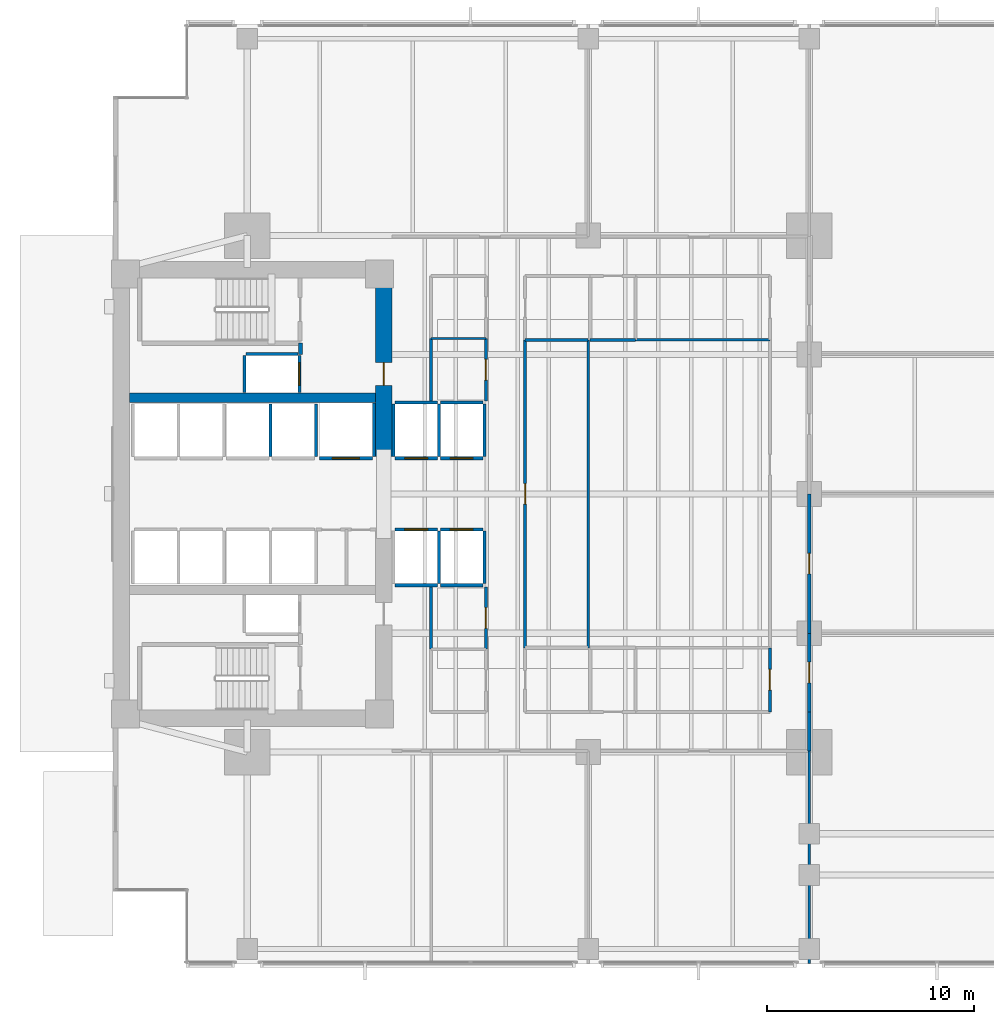
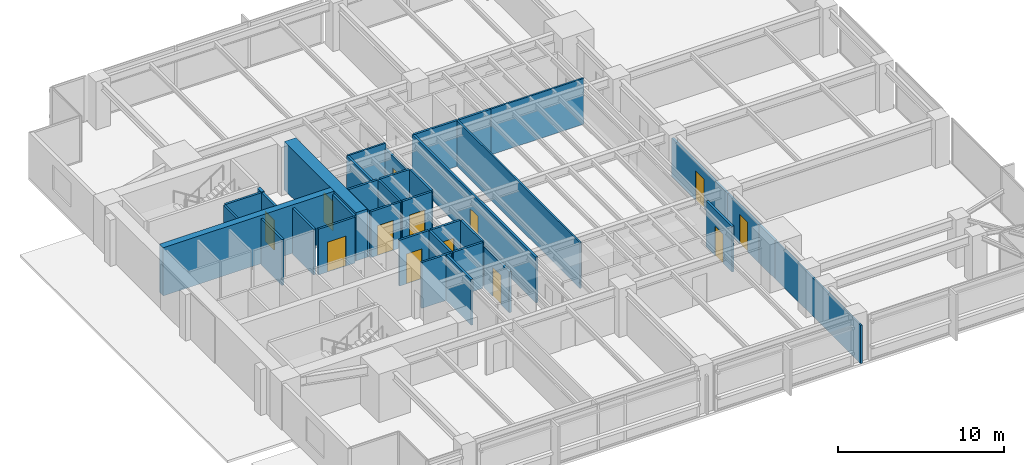
# One storey, part 10 of 16: 38 walls, 13 doors, 13 openings.
"""IFC4 building model written with IfcOpenShell, lengths in metres."""

import ifcopenshell
import ifcopenshell.guid

model = None  # the IFC model being written
_history = None  # IfcOwnerHistory: only IFC2X3 demands one
_inside = {}  # id of a spatial element -> (the spatial element, [elements in it])
_under = {}  # id of a project, library or spatial element -> (it, [spatial elements below it])
_declared = {}  # id of a project -> (the project, [libraries it declares])
_typed = {}  # id of a type object -> (the type object, [elements of that type])
_made_of = {}  # id of a material, layer set ... -> (it, [elements and type objects made of it])


def new_model(schema):
    """Start an empty IFC model of exactly this schema.

    Asked for "IFC4X3", IfcOpenShell would pick the latest addendum, in which some entities
    have other attributes; the version numbers below select the first issue.
    IFC2X3 requires an IfcOwnerHistory on every rooted entity: one is made here for all.
    """
    global model, _history
    if schema == "IFC4X3":
        model = ifcopenshell.file(schema_version=(4, 3, 0, 0))
    else:
        model = ifcopenshell.file(schema=schema)
    _inside.clear()
    _under.clear()
    _declared.clear()
    _typed.clear()
    _made_of.clear()
    _history = None
    if model.schema == "IFC2X3":
        org = make("IfcOrganization", Name="unknown")
        user = make(
            "IfcPersonAndOrganization",
            ThePerson=make("IfcPerson", FamilyName="unknown"),
            TheOrganization=org,
        )
        app = make(
            "IfcApplication",
            ApplicationDeveloper=org,
            Version="unknown",
            ApplicationFullName="unknown",
            ApplicationIdentifier="unknown",
        )
        _history = make(
            "IfcOwnerHistory",
            OwningUser=user,
            OwningApplication=app,
            ChangeAction="ADDED",
            CreationDate=0,
        )
    return model


def make(cls, **values):
    """One entity of the class cls with the attributes given. An attribute that is None is left unset."""
    return model.create_entity(
        cls, **{name: value for name, value in values.items() if value is not None}
    )


def rooted(cls, **values):
    """An entity with a GlobalId (a new one), such as an element, a storey or a relation."""
    return make(cls, GlobalId=ifcopenshell.guid.new(), OwnerHistory=_history, **values)


def si_unit(unit_type, name, prefix=None):
    """IfcSIUnit, for example si_unit("LENGTHUNIT", "METRE", prefix="MILLI")."""
    return make("IfcSIUnit", UnitType=unit_type, Prefix=prefix, Name=name)


def assignment(units):
    """IfcUnitAssignment: the units of a project."""
    return None if units is None else make("IfcUnitAssignment", Units=units)


def point(xyz):
    """IfcCartesianPoint."""
    return None if xyz is None else make("IfcCartesianPoint", Coordinates=xyz)


def direction(xyz):
    """IfcDirection."""
    return None if xyz is None else make("IfcDirection", DirectionRatios=xyz)


def frame(location, z_axis=None, x_axis=None):
    """IfcAxis2Placement3D, a coordinate frame: its origin and axes. An axis left out is left unset."""
    return make(
        "IfcAxis2Placement3D",
        Location=point(location),
        Axis=direction(z_axis),
        RefDirection=direction(x_axis),
    )


def frame_2d(location, x_axis=None):
    """IfcAxis2Placement2D, a coordinate frame in the plane: its origin and x axis."""
    return make(
        "IfcAxis2Placement2D", Location=point(location), RefDirection=direction(x_axis)
    )


def origin():
    """The frame at (0, 0, 0) with its axes left unset."""
    return frame((0.0, 0.0, 0.0))


def place(relative_to, where):
    """IfcLocalPlacement: puts the frame where relative to a parent placement (None: the world)."""
    return make(
        "IfcLocalPlacement", PlacementRelTo=relative_to, RelativePlacement=where
    )


def context(
    kind, dimensions, precision=None, world=None, true_north=None, identifier=None
):
    """IfcGeometricRepresentationContext, for example the 3D "Model" context."""
    return make(
        "IfcGeometricRepresentationContext",
        ContextIdentifier=identifier,
        ContextType=kind,
        CoordinateSpaceDimension=dimensions,
        Precision=precision,
        WorldCoordinateSystem=world,
        TrueNorth=true_north,
    )


def subcontext(parent, identifier, kind, view, scale=None):
    """IfcGeometricRepresentationSubContext, for example "Body" below "Model"."""
    return make(
        "IfcGeometricRepresentationSubContext",
        ContextIdentifier=identifier,
        ContextType=kind,
        ParentContext=parent,
        TargetScale=scale,
        TargetView=view,
    )


def project(units=None, contexts=None):
    """IfcProject with its units and contexts."""
    return rooted(
        "IfcProject",
        Name="project",
        RepresentationContexts=contexts,
        UnitsInContext=assignment(units),
    )


def spatial(cls, under=None, at=None, **own):
    """A site, building, storey or space (cls), placed at a placement, below another one or the project."""
    s = rooted(cls, ObjectPlacement=at, **own)
    if under is not None:
        _under.setdefault(under.id(), (under, []))[1].append(s)
    return s


def profile(cls, at=None, kind="AREA", **sizes):
    """A parametric profile (cls). Its sizes go by their IFC names, for example OverallWidth=200.0."""
    return make(cls, ProfileType=kind, Position=at, **sizes)


def rectangle(**sizes):
    """IfcRectangleProfileDef."""
    return profile("IfcRectangleProfileDef", **sizes)


def extrude(swept, where, along, depth):
    """IfcExtrudedAreaSolid: the profile swept, set in the frame where, extruded along a direction by depth."""
    return make(
        "IfcExtrudedAreaSolid",
        SweptArea=swept,
        Position=where,
        ExtrudedDirection=direction(along),
        Depth=depth,
    )


def shape(context_of_items, identifier, shape_type, items):
    """IfcShapeRepresentation: the items that make up one representation, for example the "Body"."""
    return make(
        "IfcShapeRepresentation",
        ContextOfItems=context_of_items,
        RepresentationIdentifier=identifier,
        RepresentationType=shape_type,
        Items=items,
    )


def material(Name=None, Category=None):
    """IfcMaterial."""
    return make("IfcMaterial", Name=Name, Category=Category)


def layer(
    of_material, thickness, ventilated=None, Name=None, Category=None, Priority=None
):
    """IfcMaterialLayer: one layer of a wall or slab, of a material (None: an air gap)."""
    return make(
        "IfcMaterialLayer",
        Material=of_material,
        LayerThickness=thickness,
        IsVentilated=ventilated,
        Name=Name,
        Category=Category,
        Priority=Priority,
    )


def layer_set(layers, Name=None):
    """IfcMaterialLayerSet."""
    return make("IfcMaterialLayerSet", MaterialLayers=layers, LayerSetName=Name)


def made_of(thing, what):
    """Note that an element or type object is made of a material, layer set ...; save() writes the relation."""
    if what is not None:
        _made_of.setdefault(what.id(), (what, []))[1].append(thing)
    return thing


def type_object(cls, material=None, **own):
    """A type object (cls), such as IfcWallType, which elements share."""
    return made_of(rooted(cls, **own), material)


def element(
    cls,
    number,
    at=None,
    inside=None,
    cuts=None,
    type_object=None,
    material=None,
    context=None,
    identifier="Body",
    shape_type=None,
    held_by="IfcProductDefinitionShape",
    body=None,
    shapes=None,
    **own,
):
    """One element of the class cls, such as IfcWall. Its Tag is "e" and its number.

    at: its placement. inside: the storey or other place that contains it. cuts: it is an
    opening in that element (IfcRelVoidsElement). A single representation is given by context,
    identifier, shape_type and body (its items); several are given by shapes. held_by: the class
    of the entity that holds the representations. save() writes the other relations.
    """
    e = rooted(cls, Tag="e%d" % number, ObjectPlacement=at, **own)
    if body is not None:
        shapes = [shape(context, identifier, shape_type, body)]
    if shapes is not None:
        e.Representation = make(held_by, Representations=shapes)
    if inside is not None:
        _inside.setdefault(inside.id(), (inside, []))[1].append(e)
    if cuts is not None:
        rooted(
            "IfcRelVoidsElement", RelatingBuildingElement=cuts, RelatedOpeningElement=e
        )
    if type_object is not None:
        _typed.setdefault(type_object.id(), (type_object, []))[1].append(e)
    return made_of(e, material)


def fill(opening, filler):
    """IfcRelFillsElement: the door or window that sits in an opening."""
    return rooted(
        "IfcRelFillsElement",
        RelatingOpeningElement=opening,
        RelatedBuildingElement=filler,
    )


def aggregate(whole, parts):
    """IfcRelAggregates: a whole, such as a stair, and the parts it consists of."""
    return rooted("IfcRelAggregates", RelatingObject=whole, RelatedObjects=parts)


def save(model, path):
    """Write the relations noted so far, then the file.

    IfcRelAggregates (storeys below a building ...), IfcRelContainedInSpatialStructure (elements
    in a storey), IfcRelDefinesByType, IfcRelAssociatesMaterial and IfcRelDeclares: one each for
    every whole, place, type object, material and project.
    """
    for whole, parts in _under.values():
        aggregate(whole, parts)
    for where, things in _inside.values():
        rooted(
            "IfcRelContainedInSpatialStructure",
            RelatedElements=things,
            RelatingStructure=where,
        )
    for kind, things in _typed.values():
        rooted("IfcRelDefinesByType", RelatedObjects=things, RelatingType=kind)
    for what, things in _made_of.values():
        rooted("IfcRelAssociatesMaterial", RelatedObjects=things, RelatingMaterial=what)
    for by, libraries in _declared.values():
        rooted("IfcRelDeclares", RelatingContext=by, RelatedDefinitions=libraries)
    model.write(path)


model = new_model("IFC4")

# Units and contexts
model_context = context("Model", 3, precision=1e-05, world=origin(), true_north=direction((0.0, 1.0)))
body_context = subcontext(model_context, "Body", "Model", "MODEL_VIEW")
ifc_project = project(units=[si_unit("LENGTHUNIT", "METRE"), si_unit("AREAUNIT", "SQUARE_METRE"), si_unit("VOLUMEUNIT", "CUBIC_METRE"), si_unit("PLANEANGLEUNIT", "RADIAN"), si_unit("MASSUNIT", "GRAM", prefix="KILO")], contexts=[model_context])

# Site, building, storey
site_placement = place(None, origin())
site = spatial("IfcSite", under=ifc_project, at=site_placement, CompositionType="ELEMENT")
building_placement = place(site_placement, origin())
building = spatial("IfcBuilding", under=site, at=building_placement, Name="Kinhvarn Gate Tower", CompositionType="ELEMENT")
storey_placement = place(building_placement, frame((0.0, 0.0, 25.60009765625)))
storey = spatial("IfcBuildingStorey", under=building, at=storey_placement, Name="L05", CompositionType="ELEMENT", Elevation=25.60009765625)

# Wall
ifc_material_1 = material(Name="Concrete C50/60", Category="concrete")
ifc_layer_1 = layer(ifc_material_1, 0.449951171875)
ifc_layer_set_1 = layer_set([ifc_layer_1], Name="Concrete C50/60")
wall_type_1 = type_object("IfcWallType", Name="WL-CORE-450", PredefinedType="SHEAR", material=ifc_layer_set_1)
wall_1_placement = place(storey_placement, frame((5.300048828125, 29.89990234375, 0.0), z_axis=(0.0, 0.0, 1.0), x_axis=(1.0, 0.0, 0.0)))
element("IfcWall", 1, at=wall_1_placement, inside=storey, type_object=wall_type_1, Name="Core North Spine Shear Wall L05 450 mm", PredefinedType="SHEAR", context=body_context, shape_type="SweptSolid", body=[
    extrude(rectangle(XDim=11.89990234375, YDim=0.449951171875, at=frame_2d((5.949951171875, 0.0))), origin(), (0.0, 0.0, 1.0), 3.5498046875),
])

# Wall, opening, door
ifc_material_2 = material(Name="Concrete C70/85", Category="concrete")
ifc_layer_2 = layer(ifc_material_2, 0.800048828125)
ifc_layer_set_2 = layer_set([ifc_layer_2], Name="Concrete C70/85")
wall_type_2 = type_object("IfcWallType", Name="WL-CORE-800", PredefinedType="SHEAR", material=ifc_layer_set_2)
wall_2_placement = place(storey_placement, frame((17.60009765625, 27.050048828125, 0.0), z_axis=(0.0, 0.0, 1.0), x_axis=(0.0, 1.0, 0.0)))
wall_2 = element("IfcWall", 2, at=wall_2_placement, inside=storey, type_object=wall_type_2, Name="Core East-North Shear Pier L05 800 mm", PredefinedType="SHEAR", context=body_context, shape_type="SweptSolid", body=[
    extrude(rectangle(XDim=8.64990234375, YDim=0.800048828125, at=frame_2d((4.324951171875, 0.0))), origin(), (0.0, 0.0, 1.0), 3.5498046875),
])
opening_1_placement = place(wall_2_placement, frame((3.449951171875, 0.0, 0.0)))
opening_1 = element("IfcOpeningElement", 3, at=opening_1_placement, cuts=wall_2, Name="Opening FD-02", PredefinedType="OPENING", context=body_context, shape_type="SweptSolid", body=[
    extrude(rectangle(XDim=1.10009765625, YDim=2.14990234375, at=frame_2d((0.550048828125, 1.074951171875))), frame((0.0, 0.41015625, 0.0), z_axis=(0.0, -1.0, 0.0), x_axis=(1.0, 0.0, 0.0)), (0.0, 0.0, 1.0), 0.820068359375),
])
ifc_material_3 = material(Name="Anodised aluminium AW-6063", Category="aluminium")
door_type_1 = type_object("IfcDoorType", Name="DR-FD-1100", OperationType="NOTDEFINED", PredefinedType="DOOR", material=ifc_material_3)
door_1_placement = place(opening_1_placement, origin())
door_1 = element("IfcDoor", 4, at=door_1_placement, inside=storey, type_object=door_type_1, Name="Firefighting Lobby Core Door (L05)", OperationType="SINGLE_SWING_LEFT", OverallHeight=2.14990234375, OverallWidth=1.10009765625, PredefinedType="DOOR", context=body_context, shape_type="SweptSolid", body=[
    extrude(rectangle(XDim=1.10009765625, YDim=2.14990234375, at=frame_2d((0.550048828125, 1.074951171875))), frame((0.0, 0.02490234375, 0.0), z_axis=(0.0, -1.0, 0.0), x_axis=(1.0, 0.0, 0.0)), (0.0, 0.0, 1.0), 0.050048828125),
])
fill(opening_1, door_1)

# Walls
ifc_material_4 = material(Name="Gypsum acoustic partition board")
ifc_layer_3 = layer(ifc_material_4, 0.14990234375)
ifc_layer_set_3 = layer_set([ifc_layer_3], Name="Gypsum acoustic partition board")
wall_type_3 = type_object("IfcWallType", Name="WL-PLM-150", PredefinedType="PLUMBINGWALL", material=ifc_layer_set_3)
wall_3_placement = place(storey_placement, frame((24.449951171875, 32.699951171875, 0.0), z_axis=(0.0, 0.0, 1.0), x_axis=(1.0, 0.0, 0.0)))
element("IfcWall", 5, at=wall_3_placement, inside=storey, type_object=wall_type_3, Name="Interior Partition PLW-150 (L05)", PredefinedType="PLUMBINGWALL", context=body_context, shape_type="SweptSolid", body=[
    extrude(rectangle(XDim=3.050048828125, YDim=0.14990234375, at=frame_2d((1.52490234375, 0.0))), origin(), (0.0, 0.0, 1.0), 3.369873046875),
])
wall_4_placement = place(storey_placement, frame((27.60009765625, 32.699951171875, 0.0), z_axis=(0.0, 0.0, 1.0), x_axis=(1.0, 0.0, 0.0)))
element("IfcWall", 6, at=wall_4_placement, inside=storey, type_object=wall_type_3, Name="Interior Partition PLW-150 (L05)", PredefinedType="PLUMBINGWALL", context=body_context, shape_type="SweptSolid", body=[
    extrude(rectangle(XDim=2.199951171875, YDim=0.14990234375, at=frame_2d((1.10009765625, 0.0))), origin(), (0.0, 0.0, 1.0), 3.369873046875),
])
ifc_layer_4 = layer(ifc_material_4, 0.1201171875)
ifc_layer_set_4 = layer_set([ifc_layer_4], Name="Gypsum acoustic partition board")
wall_type_4 = type_object("IfcWallType", Name="WL-PRT-120", PredefinedType="PARTITIONING", material=ifc_layer_set_4)
wall_5_placement = place(storey_placement, frame((19.89990234375, 32.77001953125, 0.0), z_axis=(0.0, 0.0, 1.0), x_axis=(1.0, 0.0, 0.0)))
element("IfcWall", 7, at=wall_5_placement, inside=storey, type_object=wall_type_4, Name="Interior Partition PW-120 (L05)", PredefinedType="PARTITIONING", context=body_context, shape_type="SweptSolid", body=[
    extrude(rectangle(XDim=2.650146484375, YDim=0.1201171875, at=frame_2d((1.3251953125, 0.0))), origin(), (0.0, 0.0, 1.0), 3.369873046875),
])
wall_6_placement = place(storey_placement, frame((29.800048828125, 32.699951171875, 0.0), z_axis=(0.0, 0.0, 1.0), x_axis=(1.0, 0.0, 0.0)))
element("IfcWall", 8, at=wall_6_placement, inside=storey, type_object=wall_type_4, Name="Interior Partition PW-120 (L05)", PredefinedType="PARTITIONING", context=body_context, shape_type="SweptSolid", body=[
    extrude(rectangle(XDim=6.5, YDim=0.1201171875, at=frame_2d((3.25, 0.0))), origin(), (0.0, 0.0, 1.0), 3.369873046875),
])
wall_7_placement = place(storey_placement, frame((27.5, 17.800048828125, 0.0), z_axis=(0.0, 0.0, 1.0), x_axis=(0.0, 1.0, 0.0)))
element("IfcWall", 9, at=wall_7_placement, inside=storey, type_object=wall_type_4, Name="Interior Partition PW-120 (L05)", PredefinedType="PARTITIONING", context=body_context, shape_type="SweptSolid", body=[
    extrude(rectangle(XDim=14.89990234375, YDim=0.1201171875, at=frame_2d((7.449951171875, 0.0))), origin(), (0.0, 0.0, 1.0), 3.369873046875),
])
wall_8_placement = place(storey_placement, frame((38.199951171875, 2.510009765625, 0.0), z_axis=(0.0, 0.0, 1.0), x_axis=(0.0, 1.0, 0.0)))
element("IfcWall", 10, at=wall_8_placement, inside=storey, type_object=wall_type_4, Name="Interior Partition PW-120 (L05)", PredefinedType="PARTITIONING", context=body_context, shape_type="SweptSolid", body=[
    extrude(rectangle(XDim=10.2900390625, YDim=0.1201171875, at=frame_2d((5.14501953125, 0.0))), origin(), (0.0, 0.0, 1.0), 2.81982421875),
])

# Wall, opening, door
ifc_layer_5 = layer(ifc_material_4, 0.14990234375)
ifc_layer_set_5 = layer_set([ifc_layer_5], Name="Gypsum acoustic partition board")
wall_type_5 = type_object("IfcWallType", Name="WL-PRT-150F", PredefinedType="PARTITIONING", material=ifc_layer_set_5)
wall_9_placement = place(storey_placement, frame((22.550048828125, 17.72998046875, 0.0), z_axis=(0.0, 0.0, 1.0), x_axis=(0.0, 1.0, 0.0)))
wall_9 = element("IfcWall", 11, at=wall_9_placement, inside=storey, type_object=wall_type_5, Name="Interior Partition PW-150F (L05)", PredefinedType="PARTITIONING", context=body_context, shape_type="SweptSolid", body=[
    extrude(rectangle(XDim=3.02001953125, YDim=0.14990234375, at=frame_2d((1.510009765625, 0.0))), origin(), (0.0, 0.0, 1.0), 3.010009765625),
])
opening_2_placement = place(wall_9_placement, frame((1.010009765625, 0.0, 0.0)))
opening_2 = element("IfcOpeningElement", 12, at=opening_2_placement, cuts=wall_9, Name="Opening ID-02", PredefinedType="OPENING", context=body_context, shape_type="SweptSolid", body=[
    extrude(rectangle(XDim=1.0, YDim=2.14990234375, at=frame_2d((0.5, 1.074951171875))), frame((0.0, 0.0849609375, 0.0), z_axis=(0.0, -1.0, 0.0), x_axis=(1.0, 0.0, 0.0)), (0.0, 0.0, 1.0), 0.169921875),
])
door_type_2 = type_object("IfcDoorType", Name="DR-INT-1000", OperationType="NOTDEFINED", PredefinedType="DOOR", material=ifc_material_3)
door_2_placement = place(opening_2_placement, origin())
door_2 = element("IfcDoor", 13, at=door_2_placement, inside=storey, type_object=door_type_2, Name="Standard Office & Meeting Room Door 1000x2150 mm (L05)", OperationType="SINGLE_SWING_RIGHT", OverallHeight=2.14990234375, OverallWidth=1.0, PredefinedType="DOOR", context=body_context, shape_type="SweptSolid", body=[
    extrude(rectangle(XDim=1.0, YDim=2.14990234375, at=frame_2d((0.5, 1.074951171875))), frame((0.0, 0.02490234375, 0.0), z_axis=(0.0, -1.0, 0.0), x_axis=(1.0, 0.0, 0.0)), (0.0, 0.0, 1.0), 0.050048828125),
])
fill(opening_2, door_2)

wall_10_placement = place(storey_placement, frame((22.550048828125, 29.75, 0.0), z_axis=(0.0, 0.0, 1.0), x_axis=(0.0, 1.0, 0.0)))
wall_10 = element("IfcWall", 14, at=wall_10_placement, inside=storey, type_object=wall_type_5, Name="Interior Partition PW-150F (L05)", PredefinedType="PARTITIONING", context=body_context, shape_type="SweptSolid", body=[
    extrude(rectangle(XDim=3.02001953125, YDim=0.14990234375, at=frame_2d((1.510009765625, 0.0))), origin(), (0.0, 0.0, 1.0), 3.010009765625),
])
opening_3_placement = place(wall_10_placement, frame((1.010009765625, 0.0, 0.0)))
opening_3 = element("IfcOpeningElement", 15, at=opening_3_placement, cuts=wall_10, Name="Opening ID-02", PredefinedType="OPENING", context=body_context, shape_type="SweptSolid", body=[
    extrude(rectangle(XDim=1.0, YDim=2.14990234375, at=frame_2d((0.5, 1.074951171875))), frame((0.0, 0.0849609375, 0.0), z_axis=(0.0, -1.0, 0.0), x_axis=(1.0, 0.0, 0.0)), (0.0, 0.0, 1.0), 0.169921875),
])
door_3_placement = place(opening_3_placement, origin())
door_3 = element("IfcDoor", 16, at=door_3_placement, inside=storey, type_object=door_type_2, Name="Standard Office & Meeting Room Door 1000x2150 mm (L05)", OperationType="SINGLE_SWING_LEFT", OverallHeight=2.14990234375, OverallWidth=1.0, PredefinedType="DOOR", context=body_context, shape_type="SweptSolid", body=[
    extrude(rectangle(XDim=1.0, YDim=2.14990234375, at=frame_2d((0.5, 1.074951171875))), frame((0.0, 0.02490234375, 0.0), z_axis=(0.0, -1.0, 0.0), x_axis=(1.0, 0.0, 0.0)), (0.0, 0.0, 1.0), 0.050048828125),
])
fill(opening_3, door_3)

wall_11_placement = place(storey_placement, frame((24.449951171875, 17.800048828125, 0.0), z_axis=(0.0, 0.0, 1.0), x_axis=(0.0, 1.0, 0.0)))
wall_11 = element("IfcWall", 17, at=wall_11_placement, inside=storey, type_object=wall_type_5, Name="Interior Partition PW-150F (L05)", PredefinedType="PARTITIONING", context=body_context, shape_type="SweptSolid", body=[
    extrude(rectangle(XDim=14.89990234375, YDim=0.14990234375, at=frame_2d((7.449951171875, 0.0))), origin(), (0.0, 0.0, 1.0), 3.369873046875),
])
opening_4_placement = place(wall_11_placement, frame((6.949951171875, 0.0, 0.0)))
opening_4 = element("IfcOpeningElement", 18, at=opening_4_placement, cuts=wall_11, Name="Opening ID-02", PredefinedType="OPENING", context=body_context, shape_type="SweptSolid", body=[
    extrude(rectangle(XDim=1.0, YDim=2.14990234375, at=frame_2d((0.5, 1.074951171875))), frame((0.0, 0.0849609375, 0.0), z_axis=(0.0, -1.0, 0.0), x_axis=(1.0, 0.0, 0.0)), (0.0, 0.0, 1.0), 0.169921875),
])
door_4_placement = place(opening_4_placement, origin())
door_4 = element("IfcDoor", 19, at=door_4_placement, inside=storey, type_object=door_type_2, Name="Standard Office & Meeting Room Door 1000x2150 mm (L05)", OperationType="SINGLE_SWING_LEFT", OverallHeight=2.14990234375, OverallWidth=1.0, PredefinedType="DOOR", context=body_context, shape_type="SweptSolid", body=[
    extrude(rectangle(XDim=1.0, YDim=2.14990234375, at=frame_2d((0.5, 1.074951171875))), frame((0.0, 0.02490234375, 0.0), z_axis=(0.0, -1.0, 0.0), x_axis=(1.0, 0.0, 0.0)), (0.0, 0.0, 1.0), 0.050048828125),
])
fill(opening_4, door_4)

# Walls
for number, where, z_axis, x_axis, name in (
    (20, (19.89990234375, 17.72998046875, 0.0), (0.0, 0.0, 1.0), (0.0, 1.0, 0.0), "Interior Partition PW-150F (L05)"),
    (21, (19.89990234375, 29.75, 0.0), (0.0, 0.0, 1.0), (0.0, 1.0, 0.0), "Interior Partition PW-150F (L05)"),
):
    element("IfcWall", number, at=place(storey_placement, frame(where, z_axis=z_axis, x_axis=x_axis)), inside=storey, type_object=wall_type_5, Name=name, PredefinedType="PARTITIONING", context=body_context, shape_type="SweptSolid", body=[
        extrude(rectangle(XDim=3.02001953125, YDim=0.14990234375, at=frame_2d((1.510009765625, 0.0))), origin(), (0.0, 0.0, 1.0), 3.369873046875),
    ])
wall_12_placement = place(storey_placement, frame((38.199951171875, 12.800048828125, 0.0), z_axis=(0.0, 0.0, 1.0), x_axis=(0.0, 1.0, 0.0)))
element("IfcWall", 22, at=wall_12_placement, inside=storey, type_object=wall_type_5, Name="Interior Partition PW-150F (L05)", PredefinedType="PARTITIONING", context=body_context, shape_type="SweptSolid", body=[
    extrude(rectangle(XDim=1.89990234375, YDim=0.14990234375, at=frame_2d((0.949951171875, 0.0))), origin(), (0.0, 0.0, 1.0), 2.81982421875),
])

# Wall, opening, door
wall_13_placement = place(storey_placement, frame((36.300048828125, 14.699951171875, 0.0), z_axis=(0.0, 0.0, 1.0), x_axis=(0.0, 1.0, 0.0)))
wall_13 = element("IfcWall", 23, at=wall_13_placement, inside=storey, type_object=wall_type_5, Name="Interior Partition PW-150F (L05)", PredefinedType="PARTITIONING", context=body_context, shape_type="SweptSolid", body=[
    extrude(rectangle(XDim=3.10009765625, YDim=0.14990234375, at=frame_2d((1.550048828125, 0.0))), origin(), (0.0, 0.0, 1.0), 3.369873046875),
])
opening_5_placement = place(wall_13_placement, frame((1.050048828125, 0.0, 0.0)))
opening_5 = element("IfcOpeningElement", 24, at=opening_5_placement, cuts=wall_13, Name="Opening ID-02", PredefinedType="OPENING", context=body_context, shape_type="SweptSolid", body=[
    extrude(rectangle(XDim=1.0, YDim=2.14990234375, at=frame_2d((0.5, 1.074951171875))), frame((0.0, 0.0849609375, 0.0), z_axis=(0.0, -1.0, 0.0), x_axis=(1.0, 0.0, 0.0)), (0.0, 0.0, 1.0), 0.169921875),
])
door_5_placement = place(opening_5_placement, origin())
door_5 = element("IfcDoor", 25, at=door_5_placement, inside=storey, type_object=door_type_2, Name="Standard Office & Meeting Room Door 1000x2150 mm (L05)", OperationType="SINGLE_SWING_LEFT", OverallHeight=2.14990234375, OverallWidth=1.0, PredefinedType="DOOR", context=body_context, shape_type="SweptSolid", body=[
    extrude(rectangle(XDim=1.0, YDim=2.14990234375, at=frame_2d((0.5, 1.074951171875))), frame((0.0, 0.02490234375, 0.0), z_axis=(0.0, -1.0, 0.0), x_axis=(1.0, 0.0, 0.0)), (0.0, 0.0, 1.0), 0.050048828125),
])
fill(opening_5, door_5)

wall_14_placement = place(storey_placement, frame((38.199951171875, 14.699951171875, 0.0), z_axis=(0.0, 0.0, 1.0), x_axis=(0.0, 1.0, 0.0)))
wall_14 = element("IfcWall", 26, at=wall_14_placement, inside=storey, type_object=wall_type_5, Name="Interior Partition PW-150F (L05)", PredefinedType="PARTITIONING", context=body_context, shape_type="SweptSolid", body=[
    extrude(rectangle(XDim=3.800048828125, YDim=0.14990234375, at=frame_2d((1.89990234375, 0.0))), origin(), (0.0, 0.0, 1.0), 2.81982421875),
])
opening_6_placement = place(wall_14_placement, frame((1.39990234375, 0.0, 0.0)))
opening_6 = element("IfcOpeningElement", 27, at=opening_6_placement, cuts=wall_14, Name="Opening ID-02", PredefinedType="OPENING", context=body_context, shape_type="SweptSolid", body=[
    extrude(rectangle(XDim=1.0, YDim=2.14990234375, at=frame_2d((0.5, 1.074951171875))), frame((0.0, 0.0849609375, 0.0), z_axis=(0.0, -1.0, 0.0), x_axis=(1.0, 0.0, 0.0)), (0.0, 0.0, 1.0), 0.169921875),
])
door_6_placement = place(opening_6_placement, origin())
door_6 = element("IfcDoor", 28, at=door_6_placement, inside=storey, type_object=door_type_2, Name="Standard Office & Meeting Room Door 1000x2150 mm (L05)", OperationType="SINGLE_SWING_RIGHT", OverallHeight=2.14990234375, OverallWidth=1.0, PredefinedType="DOOR", context=body_context, shape_type="SweptSolid", body=[
    extrude(rectangle(XDim=1.0, YDim=2.14990234375, at=frame_2d((0.5, 1.074951171875))), frame((0.0, 0.02490234375, 0.0), z_axis=(0.0, -1.0, 0.0), x_axis=(1.0, 0.0, 0.0)), (0.0, 0.0, 1.0), 0.050048828125),
])
fill(opening_6, door_6)

wall_15_placement = place(storey_placement, frame((38.199951171875, 18.5, 0.0), z_axis=(0.0, 0.0, 1.0), x_axis=(0.0, 1.0, 0.0)))
wall_15 = element("IfcWall", 29, at=wall_15_placement, inside=storey, type_object=wall_type_5, Name="Interior Partition PW-150F (L05)", PredefinedType="PARTITIONING", context=body_context, shape_type="SweptSolid", body=[
    extrude(rectangle(XDim=6.75, YDim=0.14990234375, at=frame_2d((3.375, 0.0))), origin(), (0.0, 0.0, 1.0), 2.81982421875),
])
opening_7_placement = place(wall_15_placement, frame((2.875, 0.0, 0.0)))
opening_7 = element("IfcOpeningElement", 30, at=opening_7_placement, cuts=wall_15, Name="Opening ID-02", PredefinedType="OPENING", context=body_context, shape_type="SweptSolid", body=[
    extrude(rectangle(XDim=1.0, YDim=2.14990234375, at=frame_2d((0.5, 1.074951171875))), frame((0.0, 0.0849609375, 0.0), z_axis=(0.0, -1.0, 0.0), x_axis=(1.0, 0.0, 0.0)), (0.0, 0.0, 1.0), 0.169921875),
])
door_7_placement = place(opening_7_placement, origin())
door_7 = element("IfcDoor", 31, at=door_7_placement, inside=storey, type_object=door_type_2, Name="Standard Office & Meeting Room Door 1000x2150 mm (L05)", OperationType="SINGLE_SWING_LEFT", OverallHeight=2.14990234375, OverallWidth=1.0, PredefinedType="DOOR", context=body_context, shape_type="SweptSolid", body=[
    extrude(rectangle(XDim=1.0, YDim=2.14990234375, at=frame_2d((0.5, 1.074951171875))), frame((0.0, 0.02490234375, 0.0), z_axis=(0.0, -1.0, 0.0), x_axis=(1.0, 0.0, 0.0)), (0.0, 0.0, 1.0), 0.050048828125),
])
fill(opening_7, door_7)

# Walls
ifc_layer_6 = layer(ifc_material_4, 0.199951171875)
ifc_layer_set_6 = layer_set([ifc_layer_6], Name="Gypsum acoustic partition board")
wall_type_6 = type_object("IfcWallType", Name="WL-PRT-200", PredefinedType="PARTITIONING", material=ifc_layer_set_6)
wall_16_placement = place(storey_placement, frame((13.580078125, 32.0, 0.0), z_axis=(0.0, 0.0, 1.0), x_axis=(0.0, 1.0, 0.0)))
element("IfcWall", 32, at=wall_16_placement, inside=storey, type_object=wall_type_6, Name="Interior Partition PW-200 (L05)", PredefinedType="PARTITIONING", context=body_context, shape_type="SweptSolid", body=[
    extrude(rectangle(XDim=0.5400390625, YDim=0.199951171875, at=frame_2d((0.27001953125, 0.0))), origin(), (0.0, 0.0, 1.0), 3.369873046875),
])
ifc_layer_7 = layer(ifc_material_4, 0.14990234375)
ifc_layer_set_7 = layer_set([ifc_layer_7], Name="Gypsum acoustic partition board")
wall_type_7 = type_object("IfcWallType", Name="WL-SHF-150", PredefinedType="PARTITIONING", material=ifc_layer_set_7)
wall_17_placement = place(storey_placement, frame((18.14990234375, 20.824951171875, 0.0), z_axis=(0.0, 0.0, 1.0), x_axis=(1.0, 0.0, 0.0)))
element("IfcWall", 33, at=wall_17_placement, inside=storey, type_object=wall_type_7, Name="Elevator PL-01 Hoistway Wall S (L05)", PredefinedType="PARTITIONING", context=body_context, shape_type="SweptSolid", body=[
    extrude(rectangle(XDim=2.050048828125, YDim=0.14990234375, at=frame_2d((1.02490234375, 0.0))), origin(), (0.0, 0.0, 1.0), 3.369873046875),
])

# Wall, opening, door
wall_18_placement = place(storey_placement, frame((18.14990234375, 23.52490234375, 0.0), z_axis=(0.0, 0.0, 1.0), x_axis=(1.0, 0.0, 0.0)))
wall_18 = element("IfcWall", 34, at=wall_18_placement, inside=storey, type_object=wall_type_7, Name="Elevator PL-01 Landing Wall (L05)", PredefinedType="PARTITIONING", context=body_context, shape_type="SweptSolid", body=[
    extrude(rectangle(XDim=2.050048828125, YDim=0.14990234375, at=frame_2d((1.02490234375, 0.0))), origin(), (0.0, 0.0, 1.0), 3.369873046875),
])
opening_8_placement = place(wall_18_placement, frame((0.47509765625, 0.0, 0.0)))
opening_8 = element("IfcOpeningElement", 35, at=opening_8_placement, cuts=wall_18, Name="Opening LD-01", PredefinedType="OPENING", context=body_context, shape_type="SweptSolid", body=[
    extrude(rectangle(XDim=1.10009765625, YDim=2.199951171875, at=frame_2d((0.550048828125, 1.10009765625))), frame((0.0, 0.0849609375, 0.0), z_axis=(0.0, -1.0, 0.0), x_axis=(1.0, 0.0, 0.0)), (0.0, 0.0, 1.0), 0.169921875),
])
door_type_3 = type_object("IfcDoorType", Name="DR-LND-PAS", OperationType="NOTDEFINED", PredefinedType="DOOR", material=ifc_material_3)
door_8_placement = place(opening_8_placement, origin())
door_8 = element("IfcDoor", 36, at=door_8_placement, inside=storey, type_object=door_type_3, Name="Elevator PL-01 Sliding Landing Door (L05)", OperationType="DOUBLE_DOOR_SLIDING", OverallHeight=2.199951171875, OverallWidth=1.10009765625, PredefinedType="DOOR", context=body_context, shape_type="SweptSolid", body=[
    extrude(rectangle(XDim=1.10009765625, YDim=2.199951171875, at=frame_2d((0.550048828125, 1.10009765625))), frame((0.0, 0.02490234375, 0.0), z_axis=(0.0, -1.0, 0.0), x_axis=(1.0, 0.0, 0.0)), (0.0, 0.0, 1.0), 0.050048828125),
])
fill(opening_8, door_8)

# Walls
wall_19_placement = place(storey_placement, frame((20.27490234375, 20.89990234375, 0.0), z_axis=(0.0, 0.0, 1.0), x_axis=(0.0, 1.0, 0.0)))
element("IfcWall", 37, at=wall_19_placement, inside=storey, type_object=wall_type_7, Name="Elevator PL-01 Hoistway Wall E (L05)", PredefinedType="PARTITIONING", context=body_context, shape_type="SweptSolid", body=[
    extrude(rectangle(XDim=2.550048828125, YDim=0.14990234375, at=frame_2d((1.27490234375, 0.0))), origin(), (0.0, 0.0, 1.0), 3.369873046875),
])
wall_20_placement = place(storey_placement, frame((20.35009765625, 20.824951171875, 0.0), z_axis=(0.0, 0.0, 1.0), x_axis=(1.0, 0.0, 0.0)))
element("IfcWall", 38, at=wall_20_placement, inside=storey, type_object=wall_type_7, Name="Elevator PL-02 Hoistway Wall S (L05)", PredefinedType="PARTITIONING", context=body_context, shape_type="SweptSolid", body=[
    extrude(rectangle(XDim=2.0498046875, YDim=0.14990234375, at=frame_2d((1.02490234375, 0.0))), origin(), (0.0, 0.0, 1.0), 3.369873046875),
])

# Wall, opening, door
wall_21_placement = place(storey_placement, frame((20.35009765625, 23.52490234375, 0.0), z_axis=(0.0, 0.0, 1.0), x_axis=(1.0, 0.0, 0.0)))
wall_21 = element("IfcWall", 39, at=wall_21_placement, inside=storey, type_object=wall_type_7, Name="Elevator PL-02 Landing Wall (L05)", PredefinedType="PARTITIONING", context=body_context, shape_type="SweptSolid", body=[
    extrude(rectangle(XDim=2.0498046875, YDim=0.14990234375, at=frame_2d((1.02490234375, 0.0))), origin(), (0.0, 0.0, 1.0), 3.369873046875),
])
opening_9_placement = place(wall_21_placement, frame((0.47509765625, 0.0, 0.0)))
opening_9 = element("IfcOpeningElement", 40, at=opening_9_placement, cuts=wall_21, Name="Opening LD-01", PredefinedType="OPENING", context=body_context, shape_type="SweptSolid", body=[
    extrude(rectangle(XDim=1.10009765625, YDim=2.199951171875, at=frame_2d((0.550048828125, 1.10009765625))), frame((0.0, 0.0849609375, 0.0), z_axis=(0.0, -1.0, 0.0), x_axis=(1.0, 0.0, 0.0)), (0.0, 0.0, 1.0), 0.169921875),
])
door_9_placement = place(opening_9_placement, origin())
door_9 = element("IfcDoor", 41, at=door_9_placement, inside=storey, type_object=door_type_3, Name="Elevator PL-02 Sliding Landing Door (L05)", OperationType="DOUBLE_DOOR_SLIDING", OverallHeight=2.199951171875, OverallWidth=1.10009765625, PredefinedType="DOOR", context=body_context, shape_type="SweptSolid", body=[
    extrude(rectangle(XDim=1.10009765625, YDim=2.199951171875, at=frame_2d((0.550048828125, 1.10009765625))), frame((0.0, 0.02490234375, 0.0), z_axis=(0.0, -1.0, 0.0), x_axis=(1.0, 0.0, 0.0)), (0.0, 0.0, 1.0), 0.050048828125),
])
fill(opening_9, door_9)

# Wall
wall_22_placement = place(storey_placement, frame((22.47509765625, 20.89990234375, 0.0), z_axis=(0.0, 0.0, 1.0), x_axis=(0.0, 1.0, 0.0)))
element("IfcWall", 42, at=wall_22_placement, inside=storey, type_object=wall_type_7, Name="Elevator PL-02 Hoistway Wall E (L05)", PredefinedType="PARTITIONING", context=body_context, shape_type="SweptSolid", body=[
    extrude(rectangle(XDim=2.550048828125, YDim=0.14990234375, at=frame_2d((1.27490234375, 0.0))), origin(), (0.0, 0.0, 1.0), 3.369873046875),
])

# Wall, opening, door
wall_23_placement = place(storey_placement, frame((18.14990234375, 26.97509765625, 0.0), z_axis=(0.0, 0.0, 1.0), x_axis=(1.0, 0.0, 0.0)))
wall_23 = element("IfcWall", 43, at=wall_23_placement, inside=storey, type_object=wall_type_7, Name="Elevator PL-03 Landing Wall (L05)", PredefinedType="PARTITIONING", context=body_context, shape_type="SweptSolid", body=[
    extrude(rectangle(XDim=2.050048828125, YDim=0.14990234375, at=frame_2d((1.02490234375, 0.0))), origin(), (0.0, 0.0, 1.0), 3.369873046875),
])
opening_10_placement = place(wall_23_placement, frame((0.47509765625, 0.0, 0.0)))
opening_10 = element("IfcOpeningElement", 44, at=opening_10_placement, cuts=wall_23, Name="Opening LD-01", PredefinedType="OPENING", context=body_context, shape_type="SweptSolid", body=[
    extrude(rectangle(XDim=1.10009765625, YDim=2.199951171875, at=frame_2d((0.550048828125, 1.10009765625))), frame((0.0, 0.0849609375, 0.0), z_axis=(0.0, -1.0, 0.0), x_axis=(1.0, 0.0, 0.0)), (0.0, 0.0, 1.0), 0.169921875),
])
door_10_placement = place(opening_10_placement, origin())
door_10 = element("IfcDoor", 45, at=door_10_placement, inside=storey, type_object=door_type_3, Name="Elevator PL-03 Sliding Landing Door (L05)", OperationType="DOUBLE_DOOR_SLIDING", OverallHeight=2.199951171875, OverallWidth=1.10009765625, PredefinedType="DOOR", context=body_context, shape_type="SweptSolid", body=[
    extrude(rectangle(XDim=1.10009765625, YDim=2.199951171875, at=frame_2d((0.550048828125, 1.10009765625))), frame((0.0, 0.02490234375, 0.0), z_axis=(0.0, -1.0, 0.0), x_axis=(1.0, 0.0, 0.0)), (0.0, 0.0, 1.0), 0.050048828125),
])
fill(opening_10, door_10)

# Walls
wall_24_placement = place(storey_placement, frame((18.14990234375, 29.675048828125, 0.0), z_axis=(0.0, 0.0, 1.0), x_axis=(1.0, 0.0, 0.0)))
element("IfcWall", 46, at=wall_24_placement, inside=storey, type_object=wall_type_7, Name="Elevator PL-03 Hoistway Wall N (L05)", PredefinedType="PARTITIONING", context=body_context, shape_type="SweptSolid", body=[
    extrude(rectangle(XDim=2.050048828125, YDim=0.14990234375, at=frame_2d((1.02490234375, 0.0))), origin(), (0.0, 0.0, 1.0), 3.369873046875),
])
for number, where, z_axis, x_axis, name in (
    (47, (18.074951171875, 27.050048828125, 0.0), (0.0, 0.0, 1.0), (0.0, 1.0, 0.0), "Elevator PL-03 Hoistway Wall W (L05)"),
    (48, (20.27490234375, 27.050048828125, 0.0), (0.0, 0.0, 1.0), (0.0, 1.0, 0.0), "Elevator PL-03 Hoistway Wall E (L05)"),
):
    element("IfcWall", number, at=place(storey_placement, frame(where, z_axis=z_axis, x_axis=x_axis)), inside=storey, type_object=wall_type_7, Name=name, PredefinedType="PARTITIONING", context=body_context, shape_type="SweptSolid", body=[
        extrude(rectangle(XDim=2.550048828125, YDim=0.14990234375, at=frame_2d((1.27490234375, 0.0))), origin(), (0.0, 0.0, 1.0), 3.369873046875),
    ])

# Wall, opening, door
wall_25_placement = place(storey_placement, frame((20.35009765625, 26.97509765625, 0.0), z_axis=(0.0, 0.0, 1.0), x_axis=(1.0, 0.0, 0.0)))
wall_25 = element("IfcWall", 49, at=wall_25_placement, inside=storey, type_object=wall_type_7, Name="Elevator PL-04 Landing Wall (L05)", PredefinedType="PARTITIONING", context=body_context, shape_type="SweptSolid", body=[
    extrude(rectangle(XDim=2.0498046875, YDim=0.14990234375, at=frame_2d((1.02490234375, 0.0))), origin(), (0.0, 0.0, 1.0), 3.369873046875),
])
opening_11_placement = place(wall_25_placement, frame((0.47509765625, 0.0, 0.0)))
opening_11 = element("IfcOpeningElement", 50, at=opening_11_placement, cuts=wall_25, Name="Opening LD-01", PredefinedType="OPENING", context=body_context, shape_type="SweptSolid", body=[
    extrude(rectangle(XDim=1.10009765625, YDim=2.199951171875, at=frame_2d((0.550048828125, 1.10009765625))), frame((0.0, 0.0849609375, 0.0), z_axis=(0.0, -1.0, 0.0), x_axis=(1.0, 0.0, 0.0)), (0.0, 0.0, 1.0), 0.169921875),
])
door_11_placement = place(opening_11_placement, origin())
door_11 = element("IfcDoor", 51, at=door_11_placement, inside=storey, type_object=door_type_3, Name="Elevator PL-04 Sliding Landing Door (L05)", OperationType="DOUBLE_DOOR_SLIDING", OverallHeight=2.199951171875, OverallWidth=1.10009765625, PredefinedType="DOOR", context=body_context, shape_type="SweptSolid", body=[
    extrude(rectangle(XDim=1.10009765625, YDim=2.199951171875, at=frame_2d((0.550048828125, 1.10009765625))), frame((0.0, 0.02490234375, 0.0), z_axis=(0.0, -1.0, 0.0), x_axis=(1.0, 0.0, 0.0)), (0.0, 0.0, 1.0), 0.050048828125),
])
fill(opening_11, door_11)

# Walls
wall_26_placement = place(storey_placement, frame((20.35009765625, 29.675048828125, 0.0), z_axis=(0.0, 0.0, 1.0), x_axis=(1.0, 0.0, 0.0)))
element("IfcWall", 52, at=wall_26_placement, inside=storey, type_object=wall_type_7, Name="Elevator PL-04 Hoistway Wall N (L05)", PredefinedType="PARTITIONING", context=body_context, shape_type="SweptSolid", body=[
    extrude(rectangle(XDim=2.0498046875, YDim=0.14990234375, at=frame_2d((1.02490234375, 0.0))), origin(), (0.0, 0.0, 1.0), 3.369873046875),
])
for number, where, z_axis, x_axis, name in (
    (53, (22.47509765625, 27.050048828125, 0.0), (0.0, 0.0, 1.0), (0.0, 1.0, 0.0), "Elevator PL-04 Hoistway Wall E (L05)"),
    (54, (12.125, 27.050048828125, 0.0), (0.0, 0.0, 1.0), (0.0, 1.0, 0.0), "Elevator PH-11 Hoistway Wall E (L05)"),
    (55, (14.324951171875, 27.050048828125, 0.0), (0.0, 0.0, 1.0), (0.0, 1.0, 0.0), "Elevator PH-12 Hoistway Wall E (L05)"),
):
    element("IfcWall", number, at=place(storey_placement, frame(where, z_axis=z_axis, x_axis=x_axis)), inside=storey, type_object=wall_type_7, Name=name, PredefinedType="PARTITIONING", context=body_context, shape_type="SweptSolid", body=[
        extrude(rectangle(XDim=2.550048828125, YDim=0.14990234375, at=frame_2d((1.27490234375, 0.0))), origin(), (0.0, 0.0, 1.0), 3.369873046875),
    ])

# Wall, opening, door
wall_27_placement = place(storey_placement, frame((14.5, 26.97509765625, 0.0), z_axis=(0.0, 0.0, 1.0), x_axis=(1.0, 0.0, 0.0)))
wall_27 = element("IfcWall", 56, at=wall_27_placement, inside=storey, type_object=wall_type_7, Name="Elevator SV-01 Landing Wall (L05)", PredefinedType="PARTITIONING", context=body_context, shape_type="SweptSolid", body=[
    extrude(rectangle(XDim=2.550048828125, YDim=0.14990234375, at=frame_2d((1.27490234375, 0.0))), origin(), (0.0, 0.0, 1.0), 3.369873046875),
])
opening_12_placement = place(wall_27_placement, frame((0.625, 0.0, 0.0)))
opening_12 = element("IfcOpeningElement", 57, at=opening_12_placement, cuts=wall_27, Name="Opening LD-02", PredefinedType="OPENING", context=body_context, shape_type="SweptSolid", body=[
    extrude(rectangle(XDim=1.300048828125, YDim=2.199951171875, at=frame_2d((0.64990234375, 1.10009765625))), frame((0.0, 0.0849609375, 0.0), z_axis=(0.0, -1.0, 0.0), x_axis=(1.0, 0.0, 0.0)), (0.0, 0.0, 1.0), 0.169921875),
])
door_type_4 = type_object("IfcDoorType", Name="DR-LND-SRV", OperationType="NOTDEFINED", PredefinedType="DOOR", material=ifc_material_3)
door_12_placement = place(opening_12_placement, origin())
door_12 = element("IfcDoor", 58, at=door_12_placement, inside=storey, type_object=door_type_4, Name="Elevator SV-01 Sliding Landing Door (L05)", OperationType="DOUBLE_DOOR_SLIDING", OverallHeight=2.199951171875, OverallWidth=1.300048828125, PredefinedType="DOOR", context=body_context, shape_type="SweptSolid", body=[
    extrude(rectangle(XDim=1.300048828125, YDim=2.199951171875, at=frame_2d((0.64990234375, 1.10009765625))), frame((0.0, 0.02490234375, 0.0), z_axis=(0.0, -1.0, 0.0), x_axis=(1.0, 0.0, 0.0)), (0.0, 0.0, 1.0), 0.050048828125),
])
fill(opening_12, door_12)

# Walls
wall_28_placement = place(storey_placement, frame((17.125, 27.050048828125, 0.0), z_axis=(0.0, 0.0, 1.0), x_axis=(0.0, 1.0, 0.0)))
element("IfcWall", 59, at=wall_28_placement, inside=storey, type_object=wall_type_7, Name="Elevator SV-01 Hoistway Wall E (L05)", PredefinedType="PARTITIONING", context=body_context, shape_type="SweptSolid", body=[
    extrude(rectangle(XDim=2.599853515625, YDim=0.14990234375, at=frame_2d((1.2998046875, 0.0))), origin(), (0.0, 0.0, 1.0), 3.369873046875),
])
wall_29_placement = place(storey_placement, frame((10.949951171875, 32.02490234375, 0.0), z_axis=(0.0, 0.0, 1.0), x_axis=(1.0, 0.0, 0.0)))
element("IfcWall", 60, at=wall_29_placement, inside=storey, type_object=wall_type_7, Name="Elevator FF2 Hoistway Wall N (L05)", PredefinedType="PARTITIONING", context=body_context, shape_type="SweptSolid", body=[
    extrude(rectangle(XDim=2.5, YDim=0.14990234375, at=frame_2d((1.25, 0.0))), origin(), (0.0, 0.0, 1.0), 3.369873046875),
])
wall_30_placement = place(storey_placement, frame((10.875, 30.14990234375, 0.0), z_axis=(0.0, 0.0, 1.0), x_axis=(0.0, 1.0, 0.0)))
element("IfcWall", 61, at=wall_30_placement, inside=storey, type_object=wall_type_7, Name="Elevator FF2 Hoistway Wall W (L05)", PredefinedType="PARTITIONING", context=body_context, shape_type="SweptSolid", body=[
    extrude(rectangle(XDim=1.800048828125, YDim=0.14990234375, at=frame_2d((0.89990234375, 0.0))), origin(), (0.0, 0.0, 1.0), 3.369873046875),
])

# Wall, opening, door
wall_31_placement = place(storey_placement, frame((13.52490234375, 30.14990234375, 0.0), z_axis=(0.0, 0.0, 1.0), x_axis=(0.0, 1.0, 0.0)))
wall_31 = element("IfcWall", 62, at=wall_31_placement, inside=storey, type_object=wall_type_7, Name="Elevator FF2 Landing Wall (L05)", PredefinedType="PARTITIONING", context=body_context, shape_type="SweptSolid", body=[
    extrude(rectangle(XDim=1.800048828125, YDim=0.14990234375, at=frame_2d((0.89990234375, 0.0))), origin(), (0.0, 0.0, 1.0), 3.369873046875),
])
opening_13_placement = place(wall_31_placement, frame((0.35009765625, 0.0, 0.0)))
opening_13 = element("IfcOpeningElement", 63, at=opening_13_placement, cuts=wall_31, Name="Opening LD-03", PredefinedType="OPENING", context=body_context, shape_type="SweptSolid", body=[
    extrude(rectangle(XDim=1.10009765625, YDim=2.199951171875, at=frame_2d((0.550048828125, 1.10009765625))), frame((0.0, 0.0849609375, 0.0), z_axis=(0.0, -1.0, 0.0), x_axis=(1.0, 0.0, 0.0)), (0.0, 0.0, 1.0), 0.169921875),
])
door_type_5 = type_object("IfcDoorType", Name="DR-LND-FF", OperationType="NOTDEFINED", PredefinedType="DOOR", material=ifc_material_3)
door_13_placement = place(opening_13_placement, origin())
door_13 = element("IfcDoor", 64, at=door_13_placement, inside=storey, type_object=door_type_5, Name="Elevator FF2 Sliding Landing Door (L05)", OperationType="DOUBLE_DOOR_SLIDING", OverallHeight=2.199951171875, OverallWidth=1.10009765625, PredefinedType="DOOR", context=body_context, shape_type="SweptSolid", body=[
    extrude(rectangle(XDim=1.10009765625, YDim=2.199951171875, at=frame_2d((0.550048828125, 1.10009765625))), frame((0.0, 0.02490234375, 0.0), z_axis=(0.0, -1.0, 0.0), x_axis=(1.0, 0.0, 0.0)), (0.0, 0.0, 1.0), 0.050048828125),
])
fill(opening_13, door_13)

save(model, "model.ifc")
